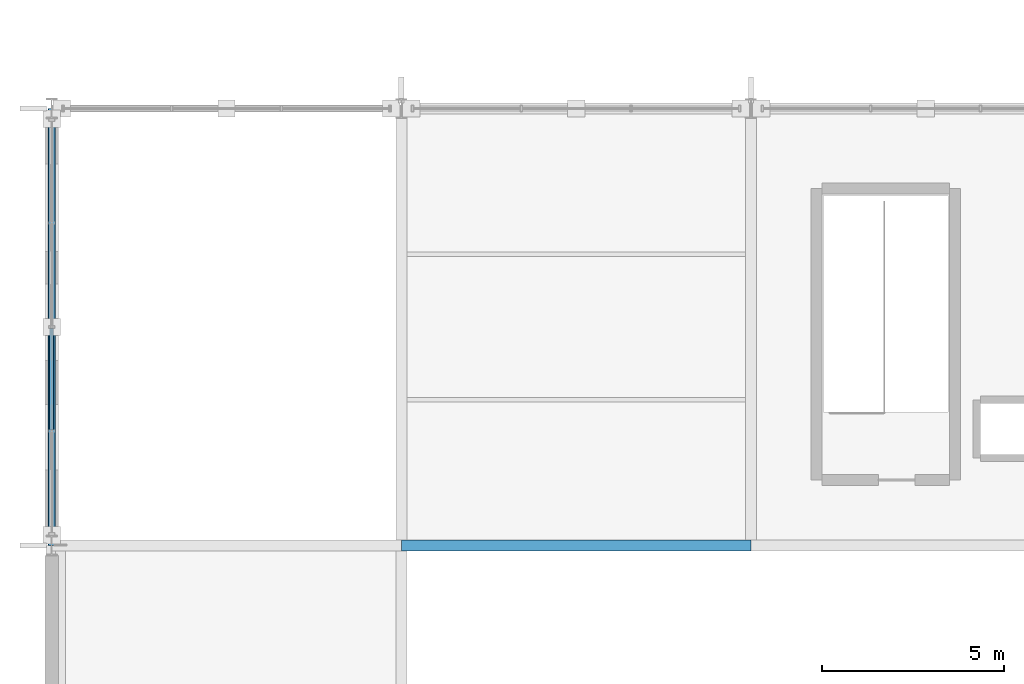
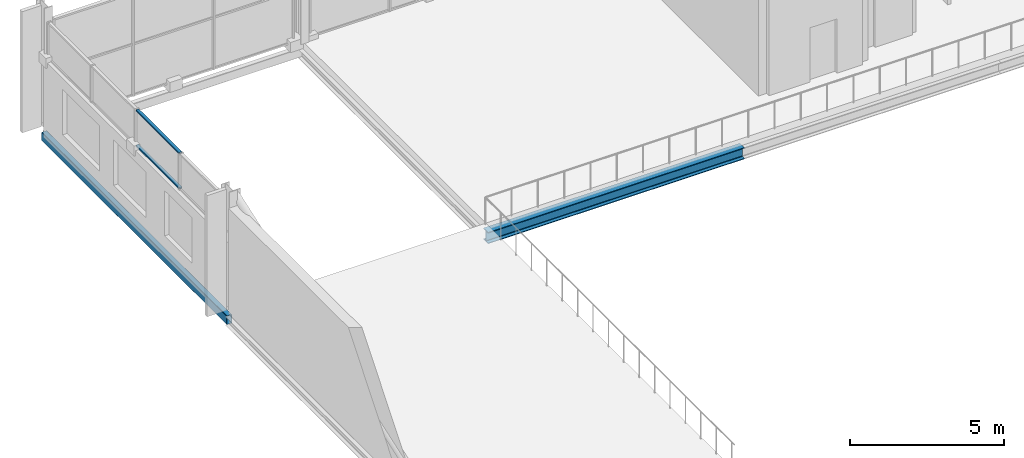
# One storey, part 77 of 159: 2 beams, 2 members, 1 element without a shape of its own.
"""IFC4 building model written with IfcOpenShell, lengths in metres."""

import ifcopenshell
import ifcopenshell.guid

model = None  # the IFC model being written
_history = None  # IfcOwnerHistory: only IFC2X3 demands one
_inside = {}  # id of a spatial element -> (the spatial element, [elements in it])
_under = {}  # id of a project, library or spatial element -> (it, [spatial elements below it])
_declared = {}  # id of a project -> (the project, [libraries it declares])
_typed = {}  # id of a type object -> (the type object, [elements of that type])
_made_of = {}  # id of a material, layer set ... -> (it, [elements and type objects made of it])


def new_model(schema):
    """Start an empty IFC model of exactly this schema.

    Asked for "IFC4X3", IfcOpenShell would pick the latest addendum, in which some entities
    have other attributes; the version numbers below select the first issue.
    IFC2X3 requires an IfcOwnerHistory on every rooted entity: one is made here for all.
    """
    global model, _history
    if schema == "IFC4X3":
        model = ifcopenshell.file(schema_version=(4, 3, 0, 0))
    else:
        model = ifcopenshell.file(schema=schema)
    _inside.clear()
    _under.clear()
    _declared.clear()
    _typed.clear()
    _made_of.clear()
    _history = None
    if model.schema == "IFC2X3":
        org = make("IfcOrganization", Name="unknown")
        user = make(
            "IfcPersonAndOrganization",
            ThePerson=make("IfcPerson", FamilyName="unknown"),
            TheOrganization=org,
        )
        app = make(
            "IfcApplication",
            ApplicationDeveloper=org,
            Version="unknown",
            ApplicationFullName="unknown",
            ApplicationIdentifier="unknown",
        )
        _history = make(
            "IfcOwnerHistory",
            OwningUser=user,
            OwningApplication=app,
            ChangeAction="ADDED",
            CreationDate=0,
        )
    return model


def make(cls, **values):
    """One entity of the class cls with the attributes given. An attribute that is None is left unset."""
    return model.create_entity(
        cls, **{name: value for name, value in values.items() if value is not None}
    )


def rooted(cls, **values):
    """An entity with a GlobalId (a new one), such as an element, a storey or a relation."""
    return make(cls, GlobalId=ifcopenshell.guid.new(), OwnerHistory=_history, **values)


def si_unit(unit_type, name, prefix=None):
    """IfcSIUnit, for example si_unit("LENGTHUNIT", "METRE", prefix="MILLI")."""
    return make("IfcSIUnit", UnitType=unit_type, Prefix=prefix, Name=name)


def assignment(units):
    """IfcUnitAssignment: the units of a project."""
    return None if units is None else make("IfcUnitAssignment", Units=units)


def point(xyz):
    """IfcCartesianPoint."""
    return None if xyz is None else make("IfcCartesianPoint", Coordinates=xyz)


def direction(xyz):
    """IfcDirection."""
    return None if xyz is None else make("IfcDirection", DirectionRatios=xyz)


def frame(location, z_axis=None, x_axis=None):
    """IfcAxis2Placement3D, a coordinate frame: its origin and axes. An axis left out is left unset."""
    return make(
        "IfcAxis2Placement3D",
        Location=point(location),
        Axis=direction(z_axis),
        RefDirection=direction(x_axis),
    )


def frame_2d(location, x_axis=None):
    """IfcAxis2Placement2D, a coordinate frame in the plane: its origin and x axis."""
    return make(
        "IfcAxis2Placement2D", Location=point(location), RefDirection=direction(x_axis)
    )


def origin():
    """The frame at (0, 0, 0) with its axes left unset."""
    return frame((0.0, 0.0, 0.0))


def origin_2d():
    """The frame at (0, 0) in the plane with its x axis left unset."""
    return frame_2d((0.0, 0.0))


def place(relative_to, where):
    """IfcLocalPlacement: puts the frame where relative to a parent placement (None: the world)."""
    return make(
        "IfcLocalPlacement", PlacementRelTo=relative_to, RelativePlacement=where
    )


def context(
    kind, dimensions, precision=None, world=None, true_north=None, identifier=None
):
    """IfcGeometricRepresentationContext, for example the 3D "Model" context."""
    return make(
        "IfcGeometricRepresentationContext",
        ContextIdentifier=identifier,
        ContextType=kind,
        CoordinateSpaceDimension=dimensions,
        Precision=precision,
        WorldCoordinateSystem=world,
        TrueNorth=true_north,
    )


def subcontext(parent, identifier, kind, view, scale=None):
    """IfcGeometricRepresentationSubContext, for example "Body" below "Model"."""
    return make(
        "IfcGeometricRepresentationSubContext",
        ContextIdentifier=identifier,
        ContextType=kind,
        ParentContext=parent,
        TargetScale=scale,
        TargetView=view,
    )


def project(units=None, contexts=None):
    """IfcProject with its units and contexts."""
    return rooted(
        "IfcProject",
        Name="project",
        RepresentationContexts=contexts,
        UnitsInContext=assignment(units),
    )


def spatial(cls, under=None, at=None, **own):
    """A site, building, storey or space (cls), placed at a placement, below another one or the project."""
    s = rooted(cls, ObjectPlacement=at, **own)
    if under is not None:
        _under.setdefault(under.id(), (under, []))[1].append(s)
    return s


def profile(cls, at=None, kind="AREA", **sizes):
    """A parametric profile (cls). Its sizes go by their IFC names, for example OverallWidth=200.0."""
    return make(cls, ProfileType=kind, Position=at, **sizes)


def hollow_rectangle(**sizes):
    """IfcRectangleHollowProfileDef."""
    return profile("IfcRectangleHollowProfileDef", **sizes)


def i_section(**sizes):
    """IfcIShapeProfileDef."""
    return profile("IfcIShapeProfileDef", **sizes)


def extrude(swept, where, along, depth):
    """IfcExtrudedAreaSolid: the profile swept, set in the frame where, extruded along a direction by depth."""
    return make(
        "IfcExtrudedAreaSolid",
        SweptArea=swept,
        Position=where,
        ExtrudedDirection=direction(along),
        Depth=depth,
    )


def shape(context_of_items, identifier, shape_type, items):
    """IfcShapeRepresentation: the items that make up one representation, for example the "Body"."""
    return make(
        "IfcShapeRepresentation",
        ContextOfItems=context_of_items,
        RepresentationIdentifier=identifier,
        RepresentationType=shape_type,
        Items=items,
    )


def material(Name=None, Category=None):
    """IfcMaterial."""
    return make("IfcMaterial", Name=Name, Category=Category)


def material_profile(
    of_material, cross_section, Name=None, Category=None, Priority=None
):
    """IfcMaterialProfile: a cross section and its material."""
    return make(
        "IfcMaterialProfile",
        Name=Name,
        Material=of_material,
        Profile=cross_section,
        Priority=Priority,
        Category=Category,
    )


def profile_set(profiles, Name=None, composite=None):
    """IfcMaterialProfileSet."""
    return make(
        "IfcMaterialProfileSet",
        Name=Name,
        MaterialProfiles=profiles,
        CompositeProfile=composite,
    )


def made_of(thing, what):
    """Note that an element or type object is made of a material, layer set ...; save() writes the relation."""
    if what is not None:
        _made_of.setdefault(what.id(), (what, []))[1].append(thing)
    return thing


def type_object(cls, material=None, **own):
    """A type object (cls), such as IfcWallType, which elements share."""
    return made_of(rooted(cls, **own), material)


def element(
    cls,
    number,
    at=None,
    inside=None,
    cuts=None,
    type_object=None,
    material=None,
    context=None,
    identifier="Body",
    shape_type=None,
    held_by="IfcProductDefinitionShape",
    body=None,
    shapes=None,
    **own,
):
    """One element of the class cls, such as IfcWall. Its Tag is "e" and its number.

    at: its placement. inside: the storey or other place that contains it. cuts: it is an
    opening in that element (IfcRelVoidsElement). A single representation is given by context,
    identifier, shape_type and body (its items); several are given by shapes. held_by: the class
    of the entity that holds the representations. save() writes the other relations.
    """
    e = rooted(cls, Tag="e%d" % number, ObjectPlacement=at, **own)
    if body is not None:
        shapes = [shape(context, identifier, shape_type, body)]
    if shapes is not None:
        e.Representation = make(held_by, Representations=shapes)
    if inside is not None:
        _inside.setdefault(inside.id(), (inside, []))[1].append(e)
    if cuts is not None:
        rooted(
            "IfcRelVoidsElement", RelatingBuildingElement=cuts, RelatedOpeningElement=e
        )
    if type_object is not None:
        _typed.setdefault(type_object.id(), (type_object, []))[1].append(e)
    return made_of(e, material)


def aggregate(whole, parts):
    """IfcRelAggregates: a whole, such as a stair, and the parts it consists of."""
    return rooted("IfcRelAggregates", RelatingObject=whole, RelatedObjects=parts)


def save(model, path):
    """Write the relations noted so far, then the file.

    IfcRelAggregates (storeys below a building ...), IfcRelContainedInSpatialStructure (elements
    in a storey), IfcRelDefinesByType, IfcRelAssociatesMaterial and IfcRelDeclares: one each for
    every whole, place, type object, material and project.
    """
    for whole, parts in _under.values():
        aggregate(whole, parts)
    for where, things in _inside.values():
        rooted(
            "IfcRelContainedInSpatialStructure",
            RelatedElements=things,
            RelatingStructure=where,
        )
    for kind, things in _typed.values():
        rooted("IfcRelDefinesByType", RelatedObjects=things, RelatingType=kind)
    for what, things in _made_of.values():
        rooted("IfcRelAssociatesMaterial", RelatedObjects=things, RelatingMaterial=what)
    for by, libraries in _declared.values():
        rooted("IfcRelDeclares", RelatingContext=by, RelatedDefinitions=libraries)
    model.write(path)


model = new_model("IFC4")

# Units and contexts
model_context = context("Model", 3, precision=1e-05, world=origin(), true_north=direction((0.0, 1.0)))
body_context = subcontext(model_context, "Body", "Model", "MODEL_VIEW")
ifc_project = project(units=[si_unit("LENGTHUNIT", "METRE"), si_unit("AREAUNIT", "SQUARE_METRE"), si_unit("VOLUMEUNIT", "CUBIC_METRE"), si_unit("PLANEANGLEUNIT", "RADIAN"), si_unit("MASSUNIT", "GRAM", prefix="KILO")], contexts=[model_context])

# Site, building, storey
site_placement = place(None, origin())
site = spatial("IfcSite", under=ifc_project, at=site_placement, CompositionType="ELEMENT")
building_placement = place(site_placement, origin())
building = spatial("IfcBuilding", under=site, at=building_placement, Name="Merenkruunu Market Hall", CompositionType="ELEMENT")
storey_placement = place(building_placement, frame((0.0, 0.0, 5.39990234375)))
storey = spatial("IfcBuildingStorey", under=building, at=storey_placement, Name="L01", CompositionType="ELEMENT", Elevation=5.39990234375)

# Curtain wall, members
ifc_material_1 = material(Name="Powder-coated aluminium", Category="aluminium")
curtain_wall_type = type_object("IfcCurtainWallType", Name="Clerestory Curtain Band CL01", PredefinedType="USERDEFINED", material=ifc_material_1)
curtain_wall_placement = place(storey_placement, origin())
curtain_wall = element("IfcCurtainWall", 1, at=curtain_wall_placement, inside=storey, type_object=curtain_wall_type, Name="CW-L01-CWM04-017", ObjectType="CLERESTORY_BAND", PredefinedType="USERDEFINED")
ifc_material_profile_1 = material_profile(ifc_material_1, hollow_rectangle(XDim=0.06005859375, YDim=0.110107421875, WallThickness=0.00390625, at=origin_2d()), Name="ALU 60x110x4")
ifc_profile_set_1 = profile_set([ifc_material_profile_1], Name="Powder-coated aluminium")
member_type = type_object("IfcMemberType", Name="Curtain Wall Transom CWT03", PredefinedType="USERDEFINED", material=ifc_profile_set_1)
member_1_placement = place(storey_placement, frame((0.0, 102.77490234375, 2.830078125), z_axis=(0.0, 1.0, 0.0), x_axis=(0.0, 0.0, 1.0)))
member_1 = element("IfcMember", 2, at=member_1_placement, type_object=member_type, Name="CL01 transom 2.1", ObjectType="TRANSOM", PredefinedType="USERDEFINED", context=body_context, shape_type="SweptSolid", body=[
    extrude(hollow_rectangle(XDim=0.06005859375, YDim=0.110107421875, WallThickness=0.00390625, at=origin_2d()), origin(), (0.0, 0.0, 1.0), 2.7900390625),
])
member_2_placement = place(storey_placement, frame((0.0, 102.77490234375, 4.22021484375), z_axis=(0.0, 1.0, 0.0), x_axis=(0.0, 0.0, 1.0)))
member_2 = element("IfcMember", 3, at=member_2_placement, type_object=member_type, Name="CL01 transom 2.2", ObjectType="TRANSOM", PredefinedType="USERDEFINED", context=body_context, shape_type="SweptSolid", body=[
    extrude(hollow_rectangle(XDim=0.06005859375, YDim=0.110107421875, WallThickness=0.00390625, at=origin_2d()), origin(), (0.0, 0.0, 1.0), 2.7900390625),
])
aggregate(curtain_wall, [member_1, member_2])

# Beams
ifc_material_2 = material(Name="Steel S355J2", Category="steel")
ifc_material_profile_2 = material_profile(ifc_material_2, hollow_rectangle(XDim=0.199951171875, YDim=0.35009765625, WallThickness=0.012451171875, InnerFilletRadius=0.012451171875, OuterFilletRadius=0.02490234375, at=origin_2d()), Name="RHS 350x200x12.5")
ifc_profile_set_2 = profile_set([ifc_material_profile_2], Name="Steel S355J2")
beam_type_1 = type_object("IfcBeamType", Name="Perimeter Spandrel Beam SP02", PredefinedType="SPANDREL", material=ifc_profile_set_2)
beam_1_placement = place(storey_placement, frame((0.0, 99.60009765625, -0.454833984375), z_axis=(0.0, 1.0, 0.0), x_axis=(-1.0, 0.0, 0.0)))
element("IfcBeam", 4, at=beam_1_placement, inside=storey, type_object=beam_type_1, Name="BM-L01-SP02-1178", PredefinedType="SPANDREL", context=body_context, shape_type="SweptSolid", body=[
    extrude(hollow_rectangle(XDim=0.199951171875, YDim=0.35009765625, WallThickness=0.012451171875, InnerFilletRadius=0.012451171875, OuterFilletRadius=0.02490234375, at=origin_2d()), origin(), (0.0, 0.0, 1.0), 12.0),
])
ifc_material_profile_3 = material_profile(ifc_material_2, i_section(OverallWidth=0.300048828125, OverallDepth=0.449951171875, WebThickness=0.013916015625, FlangeThickness=0.02587890625, FilletRadius=0.027099609375, at=origin_2d()), Name="HEB 450")
ifc_profile_set_3 = profile_set([ifc_material_profile_3], Name="Steel S355J2")
beam_type_2 = type_object("IfcBeamType", Name="Primary Floor Girder B03", PredefinedType="BEAM", material=ifc_profile_set_3)
beam_2_placement = place(storey_placement, frame((9.60009765625, 99.60009765625, -0.5048828125), z_axis=(1.0, 0.0, 0.0), x_axis=(0.0, 1.0, 0.0)))
element("IfcBeam", 5, at=beam_2_placement, inside=storey, type_object=beam_type_2, Name="BM-L01-B03-0540", PredefinedType="BEAM", context=body_context, shape_type="SweptSolid", body=[
    extrude(i_section(OverallWidth=0.300048828125, OverallDepth=0.449951171875, WebThickness=0.013916015625, FlangeThickness=0.02587890625, FilletRadius=0.027099609375, at=origin_2d()), origin(), (0.0, 0.0, 1.0), 9.599853515625),
])

save(model, "model.ifc")
